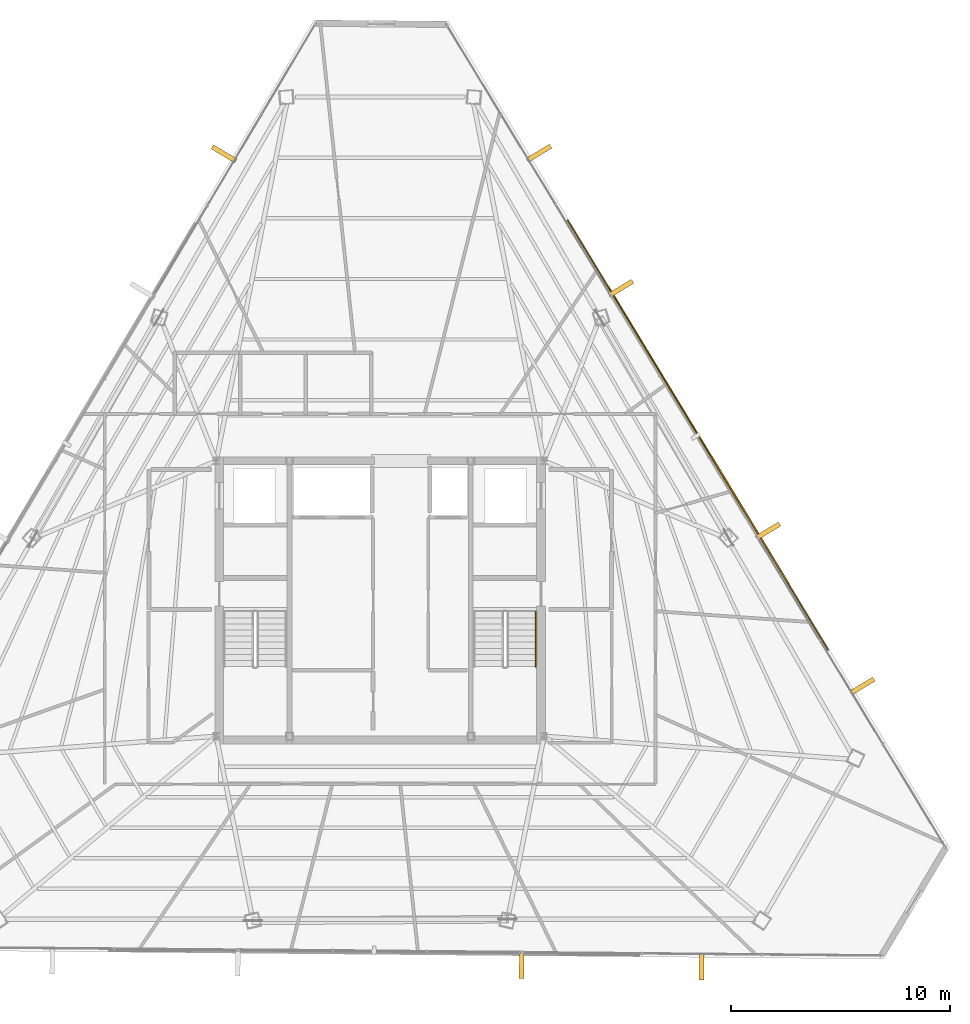
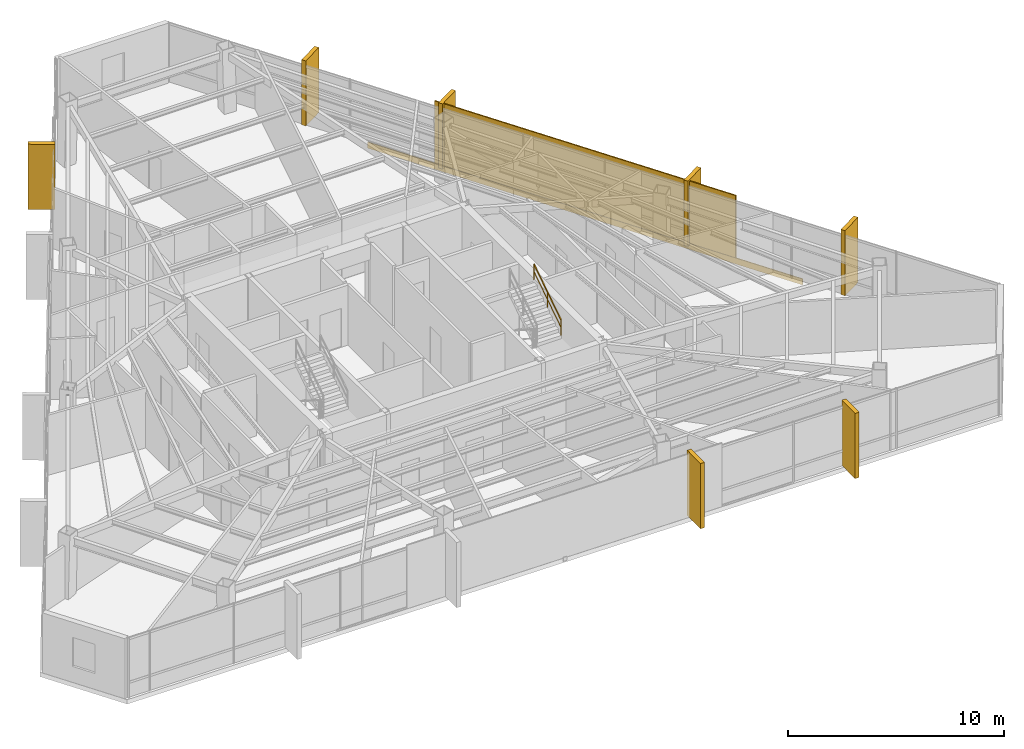
# One storey, part 46 of 46: 8 coverings, 1 railing, 1 shading device.
"""IFC4 building model written with IfcOpenShell, lengths in metres."""

from ifc_helpers import new_model, si_unit, direction, frame, origin, origin_2d, place, context, subcontext, project, spatial, rectangle, extrude, source, transform, mapped, material, layer, layer_set, type_object, type_shapes, element, save


model = new_model("IFC4")

# Units and contexts
model_context = context("Model", 3, precision=1e-05, world=origin(), true_north=direction((0.0, 1.0)))
body_context = subcontext(model_context, "Body", "Model", "MODEL_VIEW")
ifc_project = project(units=[si_unit("LENGTHUNIT", "METRE"), si_unit("AREAUNIT", "SQUARE_METRE"), si_unit("VOLUMEUNIT", "CUBIC_METRE"), si_unit("PLANEANGLEUNIT", "RADIAN"), si_unit("MASSUNIT", "GRAM", prefix="KILO")], contexts=[model_context])

# Site, building, storey
site_placement = place(None, origin())
site = spatial("IfcSite", under=ifc_project, at=site_placement, CompositionType="ELEMENT")
building_placement = place(site_placement, origin())
building = spatial("IfcBuilding", under=site, at=building_placement, Name="Caelisora Broadcast Tower", CompositionType="ELEMENT")
storey_placement = place(building_placement, frame((0.0, 0.0, 237.14990234375)))
storey = spatial("IfcBuildingStorey", under=building, at=storey_placement, Name="L62", CompositionType="ELEMENT", Elevation=237.14990234375)

# Railing
ifc_material_1 = material(Name="Stainless Steel Grade 316 Tubular Handrail", Category="steel")
ifc_layer_1 = layer(ifc_material_1, 0.048095703125, Name="Stainless Steel Grade 316 Tubular Handrail")
ifc_layer_set_1 = layer_set([ifc_layer_1], Name="Stainless Steel Grade 316 Tubular Handrail")
railing_type = type_object("IfcRailingType", Name="HR-1", PredefinedType="HANDRAIL", material=ifc_layer_set_1)
railing_placement = place(storey_placement, frame((45.1298828125, 20.580078125, 2.007568359375)))
element("IfcRailing", 1, at=railing_placement, inside=storey, type_object=railing_type, Name="L62 ST-2 stair handrail 2", PredefinedType="HANDRAIL", context=body_context, shape_type="SweptSolid", body=[
    extrude(rectangle(XDim=0.048095703125, YDim=0.048095703125, at=origin_2d()), frame((0.0, 0.0, 0.8759765625), z_axis=(0.0, 0.837749427056, 0.546054848405), x_axis=(-1.0, 0.0, 0.0)), (0.0, 0.0, 1.0), 3.008056640625),
    extrude(rectangle(XDim=0.03125, YDim=0.03125, at=origin_2d()), frame((0.0, 0.0, 0.449951171875), z_axis=(0.0, 0.837749427056, 0.546054848405), x_axis=(-1.0, 0.0, 0.0)), (0.0, 0.0, 1.0), 3.008056640625),
    extrude(rectangle(XDim=0.0419921875, YDim=0.0419921875, at=origin_2d()), origin(), (0.0, 0.0, 1.0), 0.851806640625),
    extrude(rectangle(XDim=0.0419921875, YDim=0.0419921875, at=origin_2d()), frame((0.0, 1.260009765625, 0.8212890625)), (0.0, 0.0, 1.0), 0.851806640625),
    extrude(rectangle(XDim=0.0419921875, YDim=0.0419921875, at=origin_2d()), frame((0.0, 2.52001953125, 1.642578125)), (0.0, 0.0, 1.0), 0.851806640625),
])

# Coverings
ifc_material_2 = material(Name="Kiln-Fired Terracotta Spandrel Rainscreen Cladding", Category="ceramic")
ifc_layer_2 = layer(ifc_material_2, 0.044921875, Name="Kiln-Fired Terracotta Spandrel Rainscreen Cladding")
ifc_layer_set_2 = layer_set([ifc_layer_2], Name="Kiln-Fired Terracotta Spandrel Rainscreen Cladding")
covering_type = type_object("IfcCoveringType", Name="CL-1", PredefinedType="CLADDING", material=ifc_layer_set_2)
shared_shape_1 = source(origin(), body_context, "Body", "SweptSolid", [
    extrude(rectangle(XDim=0.219970703125, YDim=1.25, at=origin_2d()), origin(), (0.0, 0.0, 1.0), 3.68994140625),
])
for number, where, z_axis, x_axis, name in (
    (2, (45.266845703125, 44.077392578125, -0.019775390625), (0.0, 0.0, 1.0), (0.51862403999, -0.855002400666, 0.0), "L62 vertical solar fin cladding #1-1"),
    (3, (49.016845703125, 37.894287109375, -0.019775390625), (0.0, 0.0, 1.0), (0.51862403999, -0.855002400666, 0.0), "L62 vertical solar fin cladding #1-2"),
    (4, (55.749755859375, 26.79296875, -0.019775390625), (0.0, 0.0, 1.0), (0.51862403999, -0.855002400666, 0.0), "L62 vertical solar fin cladding #1-3"),
    (5, (60.057373046875, 19.690673828125, -0.019775390625), (0.0, 0.0, 1.0), (0.51862403999, -0.855002400666, 0.0), "L62 vertical solar fin cladding #1-4"),
    (6, (52.709716796875, 6.87060546875, -0.019775390625), (0.0, 0.0, 1.0), (-0.999960384766, 0.008901061644, 0.0), "L62 vertical solar fin cladding #2-1"),
    (7, (44.475341796875, 6.944091796875, -0.019775390625), (0.0, 0.0, 1.0), (-0.999960384766, 0.008901061644, 0.0), "L62 vertical solar fin cladding #2-2"),
    (8, (30.855712890625, 44.049072265625, -0.019775390625), (0.0, 0.0, 1.0), (0.510993065504, 0.859584834096, 0.0), "L62 vertical solar fin cladding #3-4"),
):
    element("IfcCovering", number, at=place(storey_placement, frame(where, z_axis=z_axis, x_axis=x_axis)), inside=storey, type_object=covering_type, Name=name, PredefinedType="CLADDING", context=body_context, shape_type="MappedRepresentation", body=[
        mapped(shared_shape_1, transform((0.0, 0.0, 0.0), scale=1.0)),
    ])

# Shading device
ifc_material_3 = material(Name="Perforated Glazed Terracotta Baguette Solar Screen", Category="ceramic")
ifc_layer_3 = layer(ifc_material_3, 0.06494140625, Name="Perforated Glazed Terracotta Baguette Solar Screen")
ifc_layer_set_3 = layer_set([ifc_layer_3], Name="Perforated Glazed Terracotta Baguette Solar Screen")
shading_device_type = type_object("IfcShadingDeviceType", Name="SS-1", PredefinedType="USERDEFINED", material=ifc_layer_set_3)
shared_shape_2 = source(origin(), body_context, "Body", "SweptSolid", [
    extrude(rectangle(XDim=15.924072265625, YDim=0.06494140625, at=origin_2d()), origin(), (0.0, 0.0, 1.0), 3.590087890625),
])
type_shapes(shading_device_type, [shared_shape_2])
shading_device_placement = place(storey_placement, frame((52.557861328125, 31.188232421875, 0.0), z_axis=(0.0, 0.0, 1.0), x_axis=(-0.51862403999, 0.855002400666, 0.0)))
element("IfcShadingDevice", 9, at=shading_device_placement, inside=storey, type_object=shading_device_type, Name="L62 perforated terracotta solar screen #3", ObjectType="SOLAR SCREEN", PredefinedType="USERDEFINED", context=body_context, shape_type="MappedRepresentation", body=[
    mapped(shared_shape_2, transform((0.0, 0.0, 0.0), scale=1.0)),
])

# Covering
shared_shape_3 = source(origin(), body_context, "Body", "SweptSolid", [
    extrude(rectangle(XDim=23.0009765625, YDim=0.044921875, at=origin_2d()), origin(), (0.0, 0.0, 1.0), 0.340087890625),
])
type_shapes(covering_type, [shared_shape_1, shared_shape_3])
covering_placement = place(storey_placement, frame((52.540771484375, 31.177978515625, -0.27001953125), z_axis=(0.0, 0.0, 1.0), x_axis=(-0.51862403999, 0.855002400666, 0.0)))
element("IfcCovering", 10, at=covering_placement, inside=storey, type_object=covering_type, Name="L62 terracotta spandrel rainscreen #3", PredefinedType="CLADDING", context=body_context, shape_type="MappedRepresentation", body=[
    mapped(shared_shape_3, transform((0.0, 0.0, 0.0), scale=1.0)),
])

save(model, "model.ifc")
